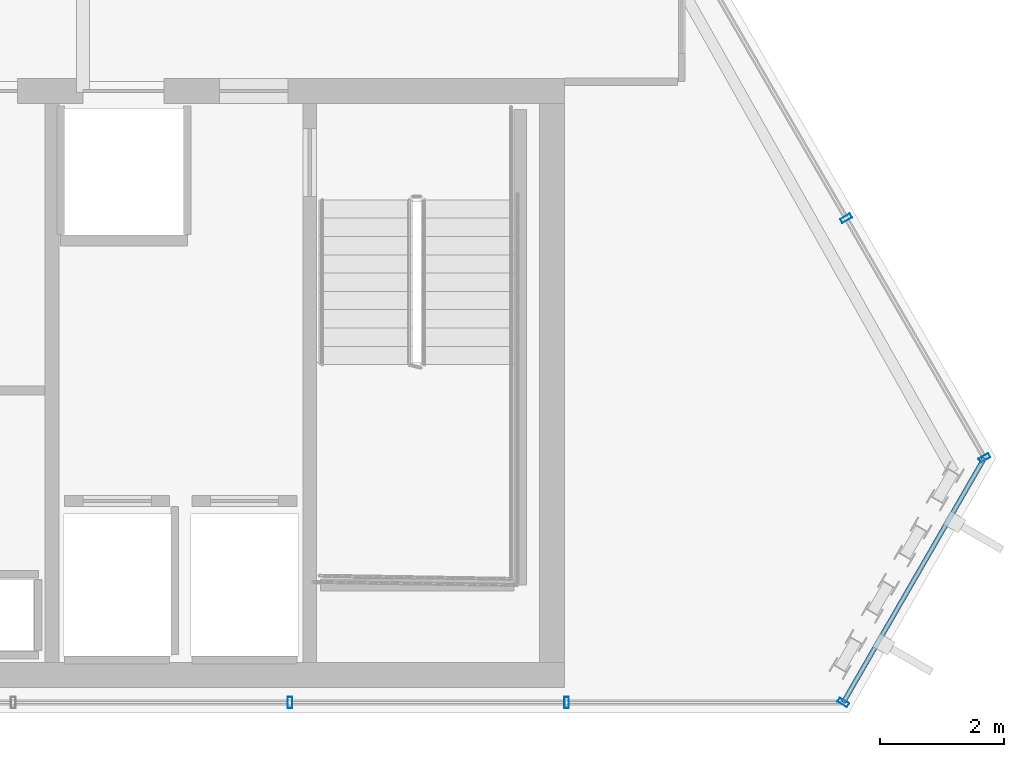
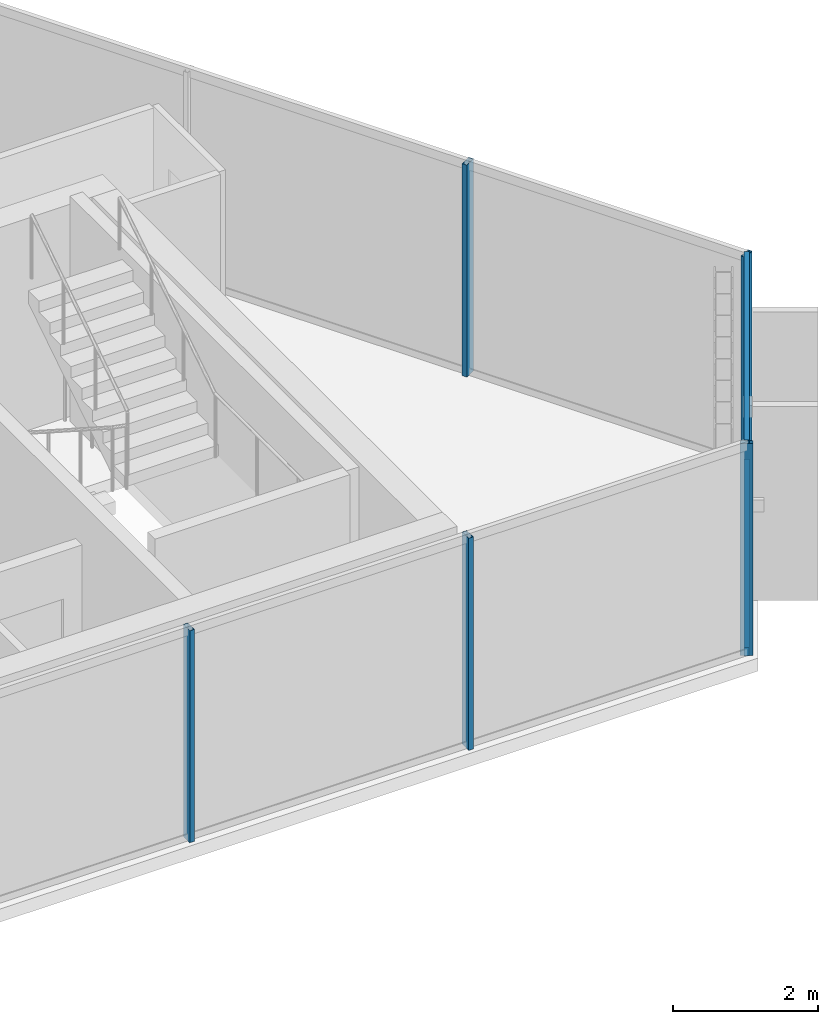
# One storey, part 20 of 32: 7 members, 3 elements without a shape of their own.
"""IFC4 building model written with IfcOpenShell, lengths in metres."""

from ifc_helpers import new_model, si_unit, direction, frame, origin, origin_2d, place, context, subcontext, project, spatial, hollow_rectangle, extrude, material, layer, layer_set, material_profile, profile_set, type_object, element, aggregate, save


model = new_model("IFC4")

# Units and contexts
model_context = context("Model", 3, precision=1e-05, world=origin(), true_north=direction((0.0, 1.0)))
body_context = subcontext(model_context, "Body", "Model", "MODEL_VIEW")
ifc_project = project(units=[si_unit("LENGTHUNIT", "METRE"), si_unit("AREAUNIT", "SQUARE_METRE"), si_unit("VOLUMEUNIT", "CUBIC_METRE"), si_unit("PLANEANGLEUNIT", "RADIAN"), si_unit("MASSUNIT", "GRAM", prefix="KILO")], contexts=[model_context])

# Site, building, storey
site_placement = place(None, origin())
site = spatial("IfcSite", under=ifc_project, at=site_placement, CompositionType="ELEMENT")
building_placement = place(site_placement, origin())
building = spatial("IfcBuilding", under=site, at=building_placement, Name="Ndaravel Arena Tower", CompositionType="ELEMENT")
storey_placement = place(building_placement, frame((0.0, 0.0, 287.10009765625)))
storey = spatial("IfcBuildingStorey", under=building, at=storey_placement, Name="L70", CompositionType="ELEMENT", Elevation=287.10009765625)

# Curtain wall, members
ifc_material_1 = material(Name="Aluminium", Category="aluminium")
ifc_layer_1 = layer(ifc_material_1, 0.179931640625)
ifc_layer_set_1 = layer_set([ifc_layer_1], Name="Aluminium")
curtain_wall_type_1 = type_object("IfcCurtainWallType", Name="CW-SYS-03", PredefinedType="NOTDEFINED", material=ifc_layer_set_1)
curtain_wall_1_placement = place(storey_placement, origin())
curtain_wall_1 = element("IfcCurtainWall", 1, at=curtain_wall_1_placement, inside=storey, type_object=curtain_wall_type_1, Name="L70 Faceted Crystal Curtain Wall CW-L70-E01", PredefinedType="NOTDEFINED")
ifc_material_2 = material(Name="Aluminium", Category="aluminium")
ifc_material_profile_1 = material_profile(ifc_material_2, hollow_rectangle(XDim=0.074951171875, YDim=0.179931640625, WallThickness=0.00390625, at=origin_2d()), Name="CW MULLION 75x180x4")
ifc_profile_set_1 = profile_set([ifc_material_profile_1], Name="Aluminium")
member_type_1 = type_object("IfcMemberType", Name="MEM-CW-MUL180", PredefinedType="MULLION", material=ifc_profile_set_1)
member_1_placement = place(storey_placement, frame((53.130615234375, 5.159912109375, 0.0), z_axis=(0.0, 0.0, 1.0), x_axis=(1.0, 0.0, 0.0)))
member_1 = element("IfcMember", 2, at=member_1_placement, type_object=member_type_1, Name="CW-L70-E01 Mullion 07", PredefinedType="MULLION", context=body_context, shape_type="SweptSolid", body=[
    extrude(hollow_rectangle(XDim=0.074951171875, YDim=0.179931640625, WallThickness=0.00390625, at=origin_2d()), origin(), (0.0, 0.0, 1.0), 3.579833984375),
])
member_2_placement = place(storey_placement, frame((57.5830078125, 5.159912109375, 0.0), z_axis=(0.0, 0.0, 1.0), x_axis=(1.0, 0.0, 0.0)))
member_2 = element("IfcMember", 3, at=member_2_placement, type_object=member_type_1, Name="CW-L70-E01 Mullion 08", PredefinedType="MULLION", context=body_context, shape_type="SweptSolid", body=[
    extrude(hollow_rectangle(XDim=0.074951171875, YDim=0.179931640625, WallThickness=0.00390625, at=origin_2d()), origin(), (0.0, 0.0, 1.0), 3.579833984375),
])
aggregate(curtain_wall_1, [member_1, member_2])

# Curtain wall, member
ifc_material_3 = material(Name="Aluminium", Category="aluminium")
ifc_layer_2 = layer(ifc_material_3, 0.179931640625)
ifc_layer_set_2 = layer_set([ifc_layer_2], Name="Aluminium")
curtain_wall_type_2 = type_object("IfcCurtainWallType", Name="CW-SYS-01", PredefinedType="NOTDEFINED", material=ifc_layer_set_2)
curtain_wall_2_placement = place(storey_placement, origin())
curtain_wall_2 = element("IfcCurtainWall", 4, at=curtain_wall_2_placement, inside=storey, type_object=curtain_wall_type_2, Name="L70 Faceted Crystal Curtain Wall CW-L70-E02", PredefinedType="NOTDEFINED")
member_3_placement = place(storey_placement, frame((62.03515625, 5.159912109375, 0.0), z_axis=(0.0, 0.0, 1.0), x_axis=(0.499984884929, 0.866034130299, 0.0)))
member_3 = element("IfcMember", 5, at=member_3_placement, type_object=member_type_1, Name="CW-L70-E02 Mullion 00", PredefinedType="MULLION", context=body_context, shape_type="SweptSolid", body=[
    extrude(hollow_rectangle(XDim=0.074951171875, YDim=0.179931640625, WallThickness=0.00390625, at=origin_2d()), origin(), (0.0, 0.0, 1.0), 3.579833984375),
])

# Curtain wall, members
curtain_wall_3_placement = place(storey_placement, origin())
curtain_wall_3 = element("IfcCurtainWall", 6, at=curtain_wall_3_placement, inside=storey, type_object=curtain_wall_type_1, Name="L70 Faceted Crystal Curtain Wall CW-L70-E03", PredefinedType="NOTDEFINED")
member_4_placement = place(storey_placement, frame((64.307373046875, 9.095947265625, 0.0), z_axis=(0.0, 0.0, 1.0), x_axis=(-0.5, 0.866025403784, 0.0)))
member_4 = element("IfcMember", 7, at=member_4_placement, type_object=member_type_1, Name="CW-L70-E03 Mullion 00", PredefinedType="MULLION", context=body_context, shape_type="SweptSolid", body=[
    extrude(hollow_rectangle(XDim=0.074951171875, YDim=0.179931640625, WallThickness=0.00390625, at=origin_2d()), origin(), (0.0, 0.0, 1.0), 3.579833984375),
])
member_5_placement = place(storey_placement, frame((62.081298828125, 12.95166015625, 0.0), z_axis=(0.0, 0.0, 1.0), x_axis=(-0.5, 0.866025403784, 0.0)))
member_5 = element("IfcMember", 8, at=member_5_placement, type_object=member_type_1, Name="CW-L70-E03 Mullion 01", PredefinedType="MULLION", context=body_context, shape_type="SweptSolid", body=[
    extrude(hollow_rectangle(XDim=0.074951171875, YDim=0.179931640625, WallThickness=0.00390625, at=origin_2d()), origin(), (0.0, 0.0, 1.0), 3.579833984375),
])
aggregate(curtain_wall_3, [member_4, member_5])

# Member
ifc_material_4 = material(Name="Aluminium", Category="aluminium")
ifc_material_profile_2 = material_profile(ifc_material_4, hollow_rectangle(XDim=0.074951171875, YDim=0.14990234375, WallThickness=0.00390625, at=origin_2d()), Name="CW TRANSOM 75x150x4")
ifc_profile_set_2 = profile_set([ifc_material_profile_2], Name="Aluminium")
member_type_2 = type_object("IfcMemberType", Name="MEM-CW-TRN150", PredefinedType="USERDEFINED", material=ifc_profile_set_2)
member_6_placement = place(storey_placement, frame((62.03515625, 5.159912109375, 0.039794921875), z_axis=(0.49995805709, 0.866049618181, 0.0), x_axis=(-0.866049618181, 0.49995805709, 0.0)))
member_6 = element("IfcMember", 9, at=member_6_placement, type_object=member_type_2, Name="CW-L70-E02 Transom 01", ObjectType="TRANSOM", PredefinedType="USERDEFINED", context=body_context, shape_type="SweptSolid", body=[
    extrude(hollow_rectangle(XDim=0.074951171875, YDim=0.14990234375, WallThickness=0.00390625, at=origin_2d()), origin(), (0.0, 0.0, 1.0), 4.544921875),
])

member_7_placement = place(storey_placement, frame((62.03515625, 5.159912109375, 3.539794921875), z_axis=(0.49995805709, 0.866049618181, 0.0), x_axis=(-0.866049618181, 0.49995805709, 0.0)))
member_7 = element("IfcMember", 10, at=member_7_placement, type_object=member_type_2, Name="CW-L70-E02 Transom 02", ObjectType="TRANSOM", PredefinedType="USERDEFINED", context=body_context, shape_type="SweptSolid", body=[
    extrude(hollow_rectangle(XDim=0.074951171875, YDim=0.14990234375, WallThickness=0.00390625, at=origin_2d()), origin(), (0.0, 0.0, 1.0), 4.544921875),
])

aggregate(curtain_wall_2, [member_3, member_6, member_7])

save(model, "model.ifc")
